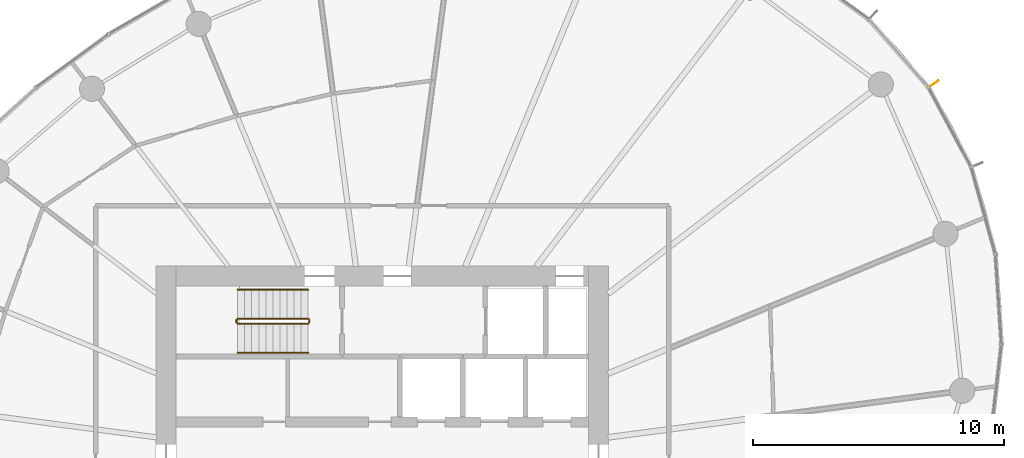
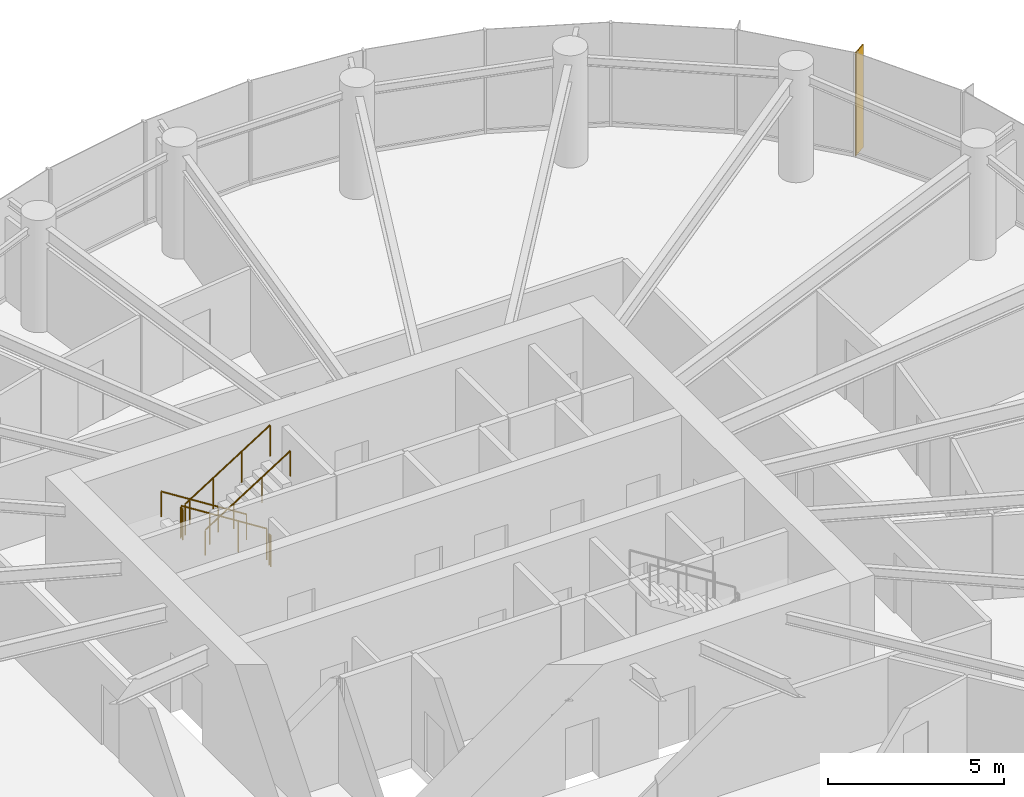
# One storey, part 13 of 14: 6 railings, 1 shading device.
"""IFC4 building model written with IfcOpenShell, lengths in metres."""

from ifc_helpers import new_model, si_unit, direction, frame, origin, origin_2d, place, context, subcontext, project, spatial, rectangle, circle, extrude, source, transform, mapped, material, material_profile, profile_set, type_object, element, save


model = new_model("IFC4")

# Units and contexts
model_context = context("Model", 3, precision=1e-05, world=origin(), true_north=direction((0.0, 1.0)))
body_context = subcontext(model_context, "Body", "Model", "MODEL_VIEW")
ifc_project = project(units=[si_unit("LENGTHUNIT", "METRE"), si_unit("AREAUNIT", "SQUARE_METRE"), si_unit("VOLUMEUNIT", "CUBIC_METRE"), si_unit("PLANEANGLEUNIT", "RADIAN"), si_unit("MASSUNIT", "GRAM", prefix="KILO")], contexts=[model_context])

# Site, building, storey
site_placement = place(None, origin())
site = spatial("IfcSite", under=ifc_project, at=site_placement, CompositionType="ELEMENT")
building_placement = place(site_placement, origin())
building = spatial("IfcBuilding", under=site, at=building_placement, Name="Spindrift Exchange Tower", CompositionType="ELEMENT")
storey_placement = place(building_placement, frame((0.0, 0.0, 152.60009765625)))
storey = spatial("IfcBuildingStorey", under=building, at=storey_placement, Name="L36", CompositionType="ELEMENT", Elevation=152.60009765625)

# Railings
ifc_material_1 = material(Name="Steel balustrade", Category="steel")
railing_type_1 = type_object("IfcRailingType", Name="RL-STAIR-GUARD", PredefinedType="GUARDRAIL", material=ifc_material_1)
railing_1_placement = place(storey_placement, frame((49.050048828125, 53.89990234375, 0.17724609375)))
element("IfcRailing", 1, at=railing_1_placement, inside=storey, type_object=railing_type_1, Name="L36 ST1 stair guard 1", PredefinedType="GUARDRAIL", context=body_context, shape_type="SweptSolid", body=[
    extrude(circle(Radius=0.02392578125, at=origin_2d()), frame((0.0, 0.0, 1.076171875), z_axis=(-0.844908973607, 0.0, 0.534910110503), x_axis=(0.0, -1.0, 0.0)), (0.0, 0.0, 1.0), 3.31396484375),
    extrude(circle(Radius=0.02099609375, at=origin_2d()), origin(), (0.0, 0.0, 1.0), 1.052001953125),
    extrude(circle(Radius=0.02099609375, at=origin_2d()), frame((-0.933349609375, 0.0, 0.5908203125)), (0.0, 0.0, 1.0), 1.052001953125),
    extrude(circle(Radius=0.02099609375, at=origin_2d()), frame((-1.86669921875, 0.0, 1.181884765625)), (0.0, 0.0, 1.0), 1.052001953125),
    extrude(circle(Radius=0.02099609375, at=origin_2d()), frame((-2.800048828125, 0.0, 1.772705078125)), (0.0, 0.0, 1.0), 1.052001953125),
])
railing_2_placement = place(storey_placement, frame((46.199951171875, 53.85009765625, 1.949951171875)))
element("IfcRailing", 2, at=railing_2_placement, inside=storey, type_object=railing_type_1, Name="L36 ST1 stair guard 2", PredefinedType="GUARDRAIL", context=body_context, shape_type="SweptSolid", body=[
    extrude(circle(Radius=0.02392578125, at=origin_2d()), frame((0.0, 0.0, 1.076171875), z_axis=(0.0, -1.0, 0.0), x_axis=(1.0, 0.0, 0.0)), (0.0, 0.0, 1.0), 0.10009765625),
    extrude(circle(Radius=0.02099609375, at=origin_2d()), origin(), (0.0, 0.0, 1.0), 1.052001953125),
    extrude(circle(Radius=0.02099609375, at=origin_2d()), frame((0.0, -0.10009765625, 0.0)), (0.0, 0.0, 1.0), 1.052001953125),
])
railing_3_placement = place(storey_placement, frame((46.25, 53.699951171875, 2.127197265625)))
element("IfcRailing", 3, at=railing_3_placement, inside=storey, type_object=railing_type_1, Name="L36 ST1 stair guard 3", PredefinedType="GUARDRAIL", context=body_context, shape_type="SweptSolid", body=[
    extrude(circle(Radius=0.02392578125, at=origin_2d()), frame((0.0, 0.0, 1.076171875), z_axis=(0.844908973607, 0.0, 0.534910110503), x_axis=(0.0, 1.0, 0.0)), (0.0, 0.0, 1.0), 3.31396484375),
    extrude(circle(Radius=0.02099609375, at=origin_2d()), origin(), (0.0, 0.0, 1.0), 1.052001953125),
    extrude(circle(Radius=0.02099609375, at=origin_2d()), frame((0.933349609375, 0.0, 0.5908203125)), (0.0, 0.0, 1.0), 1.052001953125),
    extrude(circle(Radius=0.02099609375, at=origin_2d()), frame((1.86669921875, 0.0, 1.181884765625)), (0.0, 0.0, 1.0), 1.052001953125),
    extrude(circle(Radius=0.02099609375, at=origin_2d()), frame((2.800048828125, 0.0, 1.772705078125)), (0.0, 0.0, 1.0), 1.052001953125),
])
railing_4_placement = place(storey_placement, frame((49.10009765625, 53.85009765625, 0.0)))
element("IfcRailing", 4, at=railing_4_placement, inside=storey, type_object=railing_type_1, Name="L36 ST1 stair guard 4", PredefinedType="GUARDRAIL", context=body_context, shape_type="SweptSolid", body=[
    extrude(circle(Radius=0.02392578125, at=origin_2d()), frame((0.0, 0.0, 1.076171875), z_axis=(0.0, -1.0, 0.0), x_axis=(1.0, 0.0, 0.0)), (0.0, 0.0, 1.0), 0.10009765625),
    extrude(circle(Radius=0.02099609375, at=origin_2d()), origin(), (0.0, 0.0, 1.0), 1.052001953125),
    extrude(circle(Radius=0.02099609375, at=origin_2d()), frame((0.0, -0.10009765625, 0.0)), (0.0, 0.0, 1.0), 1.052001953125),
])
ifc_material_2 = material(Name="Steel tubular handrail", Category="steel")
railing_type_2 = type_object("IfcRailingType", Name="RL-STAIR-HAND", PredefinedType="HANDRAIL", material=ifc_material_2)
railing_5_placement = place(storey_placement, frame((49.050048828125, 55.050048828125, 0.17724609375)))
element("IfcRailing", 5, at=railing_5_placement, inside=storey, type_object=railing_type_2, Name="L36 ST1 stair handrail 1", PredefinedType="HANDRAIL", context=body_context, shape_type="SweptSolid", body=[
    extrude(circle(Radius=0.02392578125, at=origin_2d()), frame((0.0, 0.0, 0.8759765625), z_axis=(-0.844908973607, 0.0, 0.534910110503), x_axis=(0.0, -1.0, 0.0)), (0.0, 0.0, 1.0), 3.31396484375),
    extrude(circle(Radius=0.02099609375, at=origin_2d()), origin(), (0.0, 0.0, 1.0), 0.851806640625),
    extrude(circle(Radius=0.02099609375, at=origin_2d()), frame((-0.933349609375, 0.0, 0.5908203125)), (0.0, 0.0, 1.0), 0.851806640625),
    extrude(circle(Radius=0.02099609375, at=origin_2d()), frame((-1.86669921875, 0.0, 1.181884765625)), (0.0, 0.0, 1.0), 0.851806640625),
    extrude(circle(Radius=0.02099609375, at=origin_2d()), frame((-2.800048828125, 0.0, 1.772705078125)), (0.0, 0.0, 1.0), 0.851806640625),
])
railing_6_placement = place(storey_placement, frame((46.25, 52.550048828125, 2.127197265625)))
element("IfcRailing", 6, at=railing_6_placement, inside=storey, type_object=railing_type_2, Name="L36 ST1 stair handrail 2", PredefinedType="HANDRAIL", context=body_context, shape_type="SweptSolid", body=[
    extrude(circle(Radius=0.02392578125, at=origin_2d()), frame((0.0, 0.0, 0.8759765625), z_axis=(0.844908973607, 0.0, 0.534910110503), x_axis=(0.0, 1.0, 0.0)), (0.0, 0.0, 1.0), 3.31396484375),
    extrude(circle(Radius=0.02099609375, at=origin_2d()), origin(), (0.0, 0.0, 1.0), 0.851806640625),
    extrude(circle(Radius=0.02099609375, at=origin_2d()), frame((0.933349609375, 0.0, 0.5908203125)), (0.0, 0.0, 1.0), 0.851806640625),
    extrude(circle(Radius=0.02099609375, at=origin_2d()), frame((1.86669921875, 0.0, 1.181884765625)), (0.0, 0.0, 1.0), 0.851806640625),
    extrude(circle(Radius=0.02099609375, at=origin_2d()), frame((2.800048828125, 0.0, 1.772705078125)), (0.0, 0.0, 1.0), 0.851806640625),
])

# Shading device
ifc_material_3 = material(Name="Bronze anodised aluminium", Category="aluminium")
ifc_material_profile = material_profile(ifc_material_3, rectangle(XDim=0.030029296875, YDim=0.5, at=origin_2d()), Name="WIND FIN 30X500")
ifc_profile_set = profile_set([ifc_material_profile], Name="Bronze anodised aluminium")
shading_device_type = type_object("IfcShadingDeviceType", Name="WIND FIN 30X500", PredefinedType="USERDEFINED", material=ifc_profile_set)
shared_shape = source(origin(), body_context, "Body", "SweptSolid", [
    extrude(rectangle(XDim=0.030029296875, YDim=0.5, at=origin_2d()), origin(), (0.0, 0.0, 1.0), 3.579833984375),
])
shading_device_placement = place(storey_placement, frame((73.910888671875, 63.2255859375, 0.0), z_axis=(0.0, 0.0, 1.0), x_axis=(-0.570627574011, 0.821208969616, 0.0)))
element("IfcShadingDevice", 7, at=shading_device_placement, inside=storey, type_object=shading_device_type, Name="L36 wind fin 2", ObjectType="FIN", PredefinedType="USERDEFINED", context=body_context, shape_type="MappedRepresentation", body=[
    mapped(shared_shape, transform((0.0, 0.0, 0.0), scale=1.0)),
])

save(model, "model.ifc")
